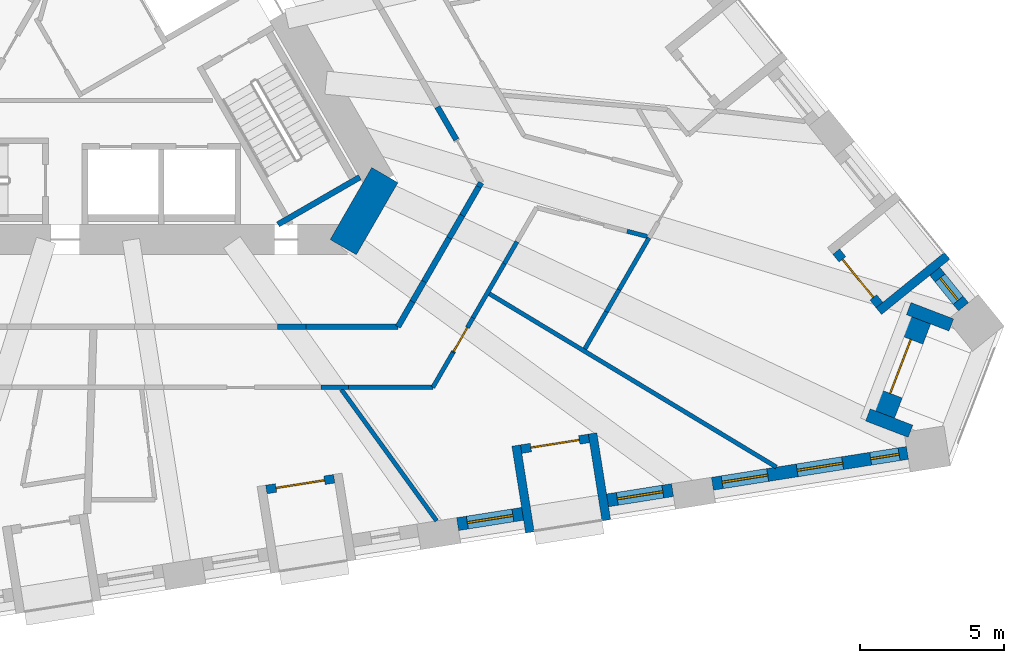
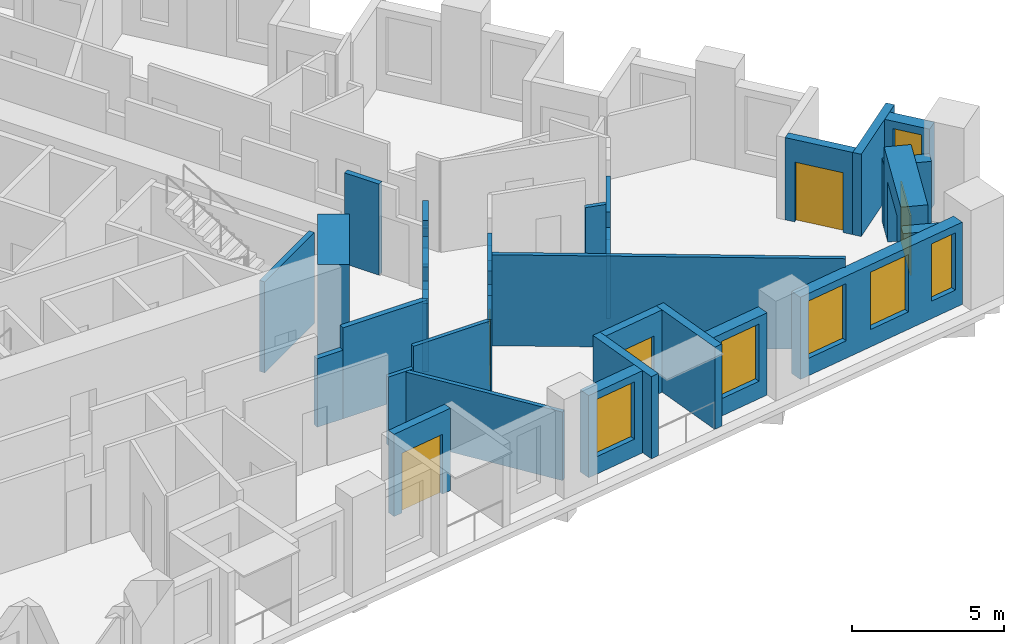
# One storey, part 6 of 14: 36 walls, 6 windows, 5 doors, 11 openings.
"""IFC4 building model written with IfcOpenShell, lengths in metres."""

from ifc_helpers import new_model, si_unit, direction, frame, frame_2d, origin, place, context, subcontext, project, spatial, polyline, rectangle, outline, extrude, material, layer, layer_set, type_object, element, fill, save


model = new_model("IFC4")

# Units and contexts
model_context = context("Model", 3, precision=1e-05, world=origin(), true_north=direction((0.0, 1.0)))
body_context = subcontext(model_context, "Body", "Model", "MODEL_VIEW")
ifc_project = project(units=[si_unit("LENGTHUNIT", "METRE"), si_unit("AREAUNIT", "SQUARE_METRE"), si_unit("VOLUMEUNIT", "CUBIC_METRE"), si_unit("PLANEANGLEUNIT", "RADIAN"), si_unit("MASSUNIT", "GRAM", prefix="KILO")], contexts=[model_context])

# Site, building, storey
site_placement = place(None, origin())
site = spatial("IfcSite", under=ifc_project, at=site_placement, CompositionType="ELEMENT")
building_placement = place(site_placement, origin())
building = spatial("IfcBuilding", under=site, at=building_placement, Name="Tramontana Tower", CompositionType="ELEMENT")
storey_placement = place(building_placement, frame((0.0, 0.0, 67.199951171875)))
storey = spatial("IfcBuildingStorey", under=building, at=storey_placement, Name="L14", CompositionType="ELEMENT", Elevation=67.199951171875)

# Walls
ifc_material_1 = material(Name="Concrete 70 MPa", Category="concrete")
ifc_layer_1 = layer(ifc_material_1, 1.050048828125)
ifc_layer_set_1 = layer_set([ifc_layer_1], Name="Core wall 1050 70 MPa")
wall_type_1 = type_object("IfcWallType", Name="Core wall 1050 70 MPa", PredefinedType="SHEAR", material=ifc_layer_set_1)
wall_1_placement = place(storey_placement, frame((8.349853515625, -6.487548828125, 0.0), z_axis=(0.0, 0.0, 1.0), x_axis=(0.499995765644, 0.866027848477, 0.0)))
element("IfcWall", 1, at=wall_1_placement, inside=storey, type_object=wall_type_1, Name="Core wall C4 L14", PredefinedType="SHEAR", context=body_context, shape_type="SweptSolid", body=[
    extrude(rectangle(XDim=2.88671875, YDim=1.050048828125, at=frame_2d((1.443359375, 0.0))), origin(), (0.0, 0.0, 1.0), 4.0),
])
ifc_material_2 = material(Name="Blockwork", Category="masonry")
ifc_layer_2 = layer(ifc_material_2, 0.199951171875)
ifc_layer_set_2 = layer_set([ifc_layer_2], Name="ENTRY WALL 200")
wall_type_2 = type_object("IfcWallType", Name="ENTRY WALL 200", PredefinedType="SOLIDWALL", material=ifc_layer_set_2)
wall_2_placement = place(storey_placement, frame((11.618408203125, -1.623779296875, 0.0), z_axis=(0.0, 0.0, 1.0), x_axis=(0.500060622324, -0.86599040064, 0.0)))
element("IfcWall", 2, at=wall_2_placement, inside=storey, type_object=wall_type_2, Name="Wall v11-ew0-8", PredefinedType="SOLIDWALL", context=body_context, shape_type="SweptSolid", body=[
    extrude(rectangle(XDim=1.312255859375, YDim=0.199951171875, at=frame_2d((0.65625, 0.0))), origin(), (0.0, 0.0, 1.0), 3.650146484375),
])
wall_3_placement = place(storey_placement, frame((13.134765625, -4.25, 0.0), z_axis=(0.0, 0.0, 1.0), x_axis=(-0.500586455622, -0.865686548612, 0.0)))
element("IfcWall", 3, at=wall_3_placement, inside=storey, type_object=wall_type_2, Name="Wall v11-ew1-0", PredefinedType="SOLIDWALL", context=body_context, shape_type="SweptSolid", body=[
    extrude(rectangle(XDim=0.171142578125, YDim=0.199951171875, at=frame_2d((0.08544921875, 0.0))), origin(), (0.0, 0.0, 1.0), 2.550048828125),
])
wall_4_placement = place(storey_placement, frame((13.049072265625, -4.398193359375, 0.0), z_axis=(0.0, 0.0, 1.0), x_axis=(-0.499889102667, -0.866089420923, 0.0)))
element("IfcWall", 4, at=wall_4_placement, inside=storey, type_object=wall_type_2, Name="Wall v11-ew1-1", PredefinedType="SOLIDWALL", context=body_context, shape_type="SweptSolid", body=[
    extrude(rectangle(XDim=1.141357421875, YDim=0.199951171875, at=frame_2d((0.57080078125, 0.0))), origin(), (0.0, 0.0, 1.0), 3.650146484375),
])
wall_5_placement = place(storey_placement, frame((12.478515625, -5.38671875, 0.0), z_axis=(0.0, 0.0, 1.0), x_axis=(-0.500151474942, -0.865937932021, 0.0)))
element("IfcWall", 5, at=wall_5_placement, inside=storey, type_object=wall_type_2, Name="Wall v11-ew1-2", PredefinedType="SOLIDWALL", context=body_context, shape_type="SweptSolid", body=[
    extrude(rectangle(XDim=0.903076171875, YDim=0.199951171875, at=frame_2d((0.45166015625, 0.0))), origin(), (0.0, 0.0, 1.0), 2.550048828125),
])
wall_6_placement = place(storey_placement, frame((12.02685546875, -6.168701171875, 0.0), z_axis=(0.0, 0.0, 1.0), x_axis=(-0.499900037626, -0.866083109396, 0.0)))
element("IfcWall", 6, at=wall_6_placement, inside=storey, type_object=wall_type_2, Name="Wall v11-ew1-3", PredefinedType="SOLIDWALL", context=body_context, shape_type="SweptSolid", body=[
    extrude(rectangle(XDim=1.745361328125, YDim=0.199951171875, at=frame_2d((0.87255859375, 0.0))), origin(), (0.0, 0.0, 1.0), 3.650146484375),
])
wall_7_placement = place(storey_placement, frame((11.154296875, -7.680419921875, 0.0), z_axis=(0.0, 0.0, 1.0), x_axis=(-0.500151261923, -0.865938055058, 0.0)))
element("IfcWall", 7, at=wall_7_placement, inside=storey, type_object=wall_type_2, Name="Wall v11-ew1-4", PredefinedType="SOLIDWALL", context=body_context, shape_type="SweptSolid", body=[
    extrude(rectangle(XDim=0.804931640625, YDim=0.199951171875, at=frame_2d((0.40234375, 0.0))), origin(), (0.0, 0.0, 1.0), 2.75),
])
wall_8_placement = place(storey_placement, frame((10.751708984375, -8.37744140625, 0.0), z_axis=(0.0, 0.0, 1.0), x_axis=(-0.499918237861, -0.866072604031, 0.0)))
element("IfcWall", 8, at=wall_8_placement, inside=storey, type_object=wall_type_2, Name="Wall v11-ew1-5", PredefinedType="SOLIDWALL", context=body_context, shape_type="SweptSolid", body=[
    extrude(rectangle(XDim=1.007568359375, YDim=0.199951171875, at=frame_2d((0.50390625, 0.0))), origin(), (0.0, 0.0, 1.0), 3.650146484375),
])
wall_9_placement = place(storey_placement, frame((10.248046875, -9.25, 0.0), z_axis=(0.0, 0.0, 1.0), x_axis=(-1.0, 0.0, 0.0)))
element("IfcWall", 9, at=wall_9_placement, inside=storey, type_object=wall_type_2, Name="Wall v11-ew2-0", PredefinedType="SOLIDWALL", context=body_context, shape_type="SweptSolid", body=[
    extrude(rectangle(XDim=3.190673828125, YDim=0.199951171875, at=frame_2d((1.59521484375, 0.0))), origin(), (0.0, 0.0, 1.0), 3.650146484375),
])
wall_10_placement = place(storey_placement, frame((7.057373046875, -9.25, 0.0), z_axis=(0.0, 0.0, 1.0), x_axis=(-1.0, 0.0, 0.0)))
element("IfcWall", 10, at=wall_10_placement, inside=storey, type_object=wall_type_2, Name="Wall v11-ew2-1", PredefinedType="SOLIDWALL", context=body_context, shape_type="SweptSolid", body=[
    extrude(rectangle(XDim=0.981201171875, YDim=0.199951171875, at=frame_2d((0.49072265625, 0.0))), origin(), (0.0, 0.0, 1.0), 2.75),
])

# Wall, opening, window
ifc_material_3 = material(Name="Precast concrete 60 MPa", Category="concrete")
ifc_layer_3 = layer(ifc_material_3, 0.449951171875)
ifc_layer_set_3 = layer_set([ifc_layer_3], Name="Precast concrete 60 MPa, 450 mm")
wall_type_3 = type_object("IfcWallType", Name="EW1 Stone-faced precast wall 450", PredefinedType="SOLIDWALL", material=ifc_layer_set_3)
wall_11_placement = place(storey_placement, frame((12.318603515625, -16.09619140625, 0.0), z_axis=(0.0, 0.0, 1.0), x_axis=(0.987685675151, 0.156451293065, 0.0)))
wall_11 = element("IfcWall", 11, at=wall_11_placement, inside=storey, type_object=wall_type_3, Name="External wall L14 face 1 bay 5", PredefinedType="SOLIDWALL", context=body_context, shape_type="SweptSolid", body=[
    extrude(rectangle(XDim=2.282958984375, YDim=0.449951171875, at=frame_2d((1.1416015625, 0.0))), origin(), (0.0, 0.0, 1.0), 3.300048828125),
])
opening_1_placement = place(wall_11_placement, frame((0.341552734375, 0.0, 0.699951171875)))
opening_1 = element("IfcOpeningElement", 12, at=opening_1_placement, cuts=wall_11, Name="Opening M1", PredefinedType="OPENING", context=body_context, shape_type="SweptSolid", body=[
    extrude(rectangle(XDim=1.60009765625, YDim=2.300048828125, at=frame_2d((0.800048828125, 1.14990234375))), frame((0.0, 0.23486328125, 0.0), z_axis=(0.0, -1.0, 0.0), x_axis=(1.0, 0.0, 0.0)), (0.0, 0.0, 1.0), 0.469970703125),
])
ifc_material_4 = material(Name="Aluminum frame, double glazing unit", Category="aluminium")
window_type_1 = type_object("IfcWindowType", Name="M1 Window 1.6 x 2.3", PartitioningType="SINGLE_PANEL", PredefinedType="WINDOW", material=ifc_material_4)
window_1_placement = place(opening_1_placement, origin())
window_1 = element("IfcWindow", 13, at=window_1_placement, inside=storey, type_object=window_type_1, Name="Window M1 L14 face 1 module 13", OverallHeight=2.300048828125, OverallWidth=1.60009765625, PartitioningType="SINGLE_PANEL", PredefinedType="WINDOW", context=body_context, shape_type="SweptSolid", body=[
    extrude(rectangle(XDim=1.60009765625, YDim=2.300048828125, at=frame_2d((0.800048828125, 1.14990234375))), frame((0.0, 0.030029296875, 0.0), z_axis=(0.0, -1.0, 0.0), x_axis=(1.0, 0.0, 0.0)), (0.0, 0.0, 1.0), 0.06005859375),
])
fill(opening_1, window_1)

wall_12_placement = place(storey_placement, frame((17.519775390625, -15.2724609375, 0.0), z_axis=(0.0, 0.0, 1.0), x_axis=(0.987685675151, 0.156451293065, 0.0)))
wall_12 = element("IfcWall", 14, at=wall_12_placement, inside=storey, type_object=wall_type_3, Name="External wall L14 face 1 bay 5", PredefinedType="SOLIDWALL", context=body_context, shape_type="SweptSolid", body=[
    extrude(rectangle(XDim=2.282958984375, YDim=0.449951171875, at=frame_2d((1.1416015625, 0.0))), origin(), (0.0, 0.0, 1.0), 3.300048828125),
])
opening_2_placement = place(wall_12_placement, frame((0.341552734375, 0.0, 0.699951171875)))
opening_2 = element("IfcOpeningElement", 15, at=opening_2_placement, cuts=wall_12, Name="Opening M1", PredefinedType="OPENING", context=body_context, shape_type="SweptSolid", body=[
    extrude(rectangle(XDim=1.60009765625, YDim=2.300048828125, at=frame_2d((0.800048828125, 1.14990234375))), frame((0.0, 0.23486328125, 0.0), z_axis=(0.0, -1.0, 0.0), x_axis=(1.0, 0.0, 0.0)), (0.0, 0.0, 1.0), 0.469970703125),
])
window_2_placement = place(opening_2_placement, origin())
window_2 = element("IfcWindow", 16, at=window_2_placement, inside=storey, type_object=window_type_1, Name="Window M1 L14 face 1 module 15", OverallHeight=2.300048828125, OverallWidth=1.60009765625, PartitioningType="SINGLE_PANEL", PredefinedType="WINDOW", context=body_context, shape_type="SweptSolid", body=[
    extrude(rectangle(XDim=1.60009765625, YDim=2.300048828125, at=frame_2d((0.800048828125, 1.14990234375))), frame((0.0, 0.030029296875, 0.0), z_axis=(0.0, -1.0, 0.0), x_axis=(1.0, 0.0, 0.0)), (0.0, 0.0, 1.0), 0.06005859375),
])
fill(opening_2, window_2)

# Wall, openings, windows
wall_13_placement = place(storey_placement, frame((21.1572265625, -14.6962890625, 0.0), z_axis=(0.0, 0.0, 1.0), x_axis=(0.987685675151, 0.156451293065, 0.0)))
wall_13 = element("IfcWall", 17, at=wall_13_placement, inside=storey, type_object=wall_type_3, Name="External wall L14 face 1 bay 6", PredefinedType="SOLIDWALL", context=body_context, shape_type="SweptSolid", body=[
    extrude(rectangle(XDim=6.848876953125, YDim=0.449951171875, at=frame_2d((3.42431640625, 0.0))), origin(), (0.0, 0.0, 1.0), 3.300048828125),
])
opening_3_placement = place(wall_13_placement, frame((0.341552734375, 0.0, 0.699951171875)))
opening_3 = element("IfcOpeningElement", 18, at=opening_3_placement, cuts=wall_13, Name="Opening M1", PredefinedType="OPENING", context=body_context, shape_type="SweptSolid", body=[
    extrude(rectangle(XDim=1.60009765625, YDim=2.300048828125, at=frame_2d((0.800048828125, 1.14990234375))), frame((0.0, 0.23486328125, 0.0), z_axis=(0.0, -1.0, 0.0), x_axis=(1.0, 0.0, 0.0)), (0.0, 0.0, 1.0), 0.469970703125),
])
opening_4_placement = place(wall_13_placement, frame((2.974365234375, 0.0, 0.699951171875)))
opening_4 = element("IfcOpeningElement", 19, at=opening_4_placement, cuts=wall_13, Name="Opening M1", PredefinedType="OPENING", context=body_context, shape_type="SweptSolid", body=[
    extrude(rectangle(XDim=1.60009765625, YDim=2.300048828125, at=frame_2d((0.800048828125, 1.14990234375))), frame((0.0, 0.23486328125, 0.0), z_axis=(0.0, -1.0, 0.0), x_axis=(1.0, 0.0, 0.0)), (0.0, 0.0, 1.0), 0.469970703125),
])
opening_5_placement = place(wall_13_placement, frame((5.557373046875, 0.0, 0.699951171875)))
opening_5 = element("IfcOpeningElement", 20, at=opening_5_placement, cuts=wall_13, Name="Opening N1", PredefinedType="OPENING", context=body_context, shape_type="SweptSolid", body=[
    extrude(rectangle(XDim=1.0, YDim=2.300048828125, at=frame_2d((0.5, 1.14990234375))), frame((0.0, 0.23486328125, 0.0), z_axis=(0.0, -1.0, 0.0), x_axis=(1.0, 0.0, 0.0)), (0.0, 0.0, 1.0), 0.469970703125),
])
window_3_placement = place(opening_3_placement, origin())
window_3 = element("IfcWindow", 21, at=window_3_placement, inside=storey, type_object=window_type_1, Name="Window M1 L14 face 1 module 16", OverallHeight=2.300048828125, OverallWidth=1.60009765625, PartitioningType="SINGLE_PANEL", PredefinedType="WINDOW", context=body_context, shape_type="SweptSolid", body=[
    extrude(rectangle(XDim=1.60009765625, YDim=2.300048828125, at=frame_2d((0.800048828125, 1.14990234375))), frame((0.0, 0.030029296875, 0.0), z_axis=(0.0, -1.0, 0.0), x_axis=(1.0, 0.0, 0.0)), (0.0, 0.0, 1.0), 0.06005859375),
])
fill(opening_3, window_3)
window_4_placement = place(opening_4_placement, origin())
window_4 = element("IfcWindow", 22, at=window_4_placement, inside=storey, type_object=window_type_1, Name="Window M1 L14 face 1 module 17", OverallHeight=2.300048828125, OverallWidth=1.60009765625, PartitioningType="SINGLE_PANEL", PredefinedType="WINDOW", context=body_context, shape_type="SweptSolid", body=[
    extrude(rectangle(XDim=1.60009765625, YDim=2.300048828125, at=frame_2d((0.800048828125, 1.14990234375))), frame((0.0, 0.030029296875, 0.0), z_axis=(0.0, -1.0, 0.0), x_axis=(1.0, 0.0, 0.0)), (0.0, 0.0, 1.0), 0.06005859375),
])
fill(opening_4, window_4)
ifc_material_5 = material(Name="Aluminum frame, double glazing unit", Category="aluminium")
window_type_2 = type_object("IfcWindowType", Name="N1 Window 1 x 2.3", PartitioningType="SINGLE_PANEL", PredefinedType="WINDOW", material=ifc_material_5)
window_5_placement = place(opening_5_placement, origin())
window_5 = element("IfcWindow", 23, at=window_5_placement, inside=storey, type_object=window_type_2, Name="Window N1 L14 face 1 module 18", OverallHeight=2.300048828125, OverallWidth=1.0, PartitioningType="SINGLE_PANEL", PredefinedType="WINDOW", context=body_context, shape_type="SweptSolid", body=[
    extrude(rectangle(XDim=1.0, YDim=2.300048828125, at=frame_2d((0.5, 1.14990234375))), frame((0.0, 0.030029296875, 0.0), z_axis=(0.0, -1.0, 0.0), x_axis=(1.0, 0.0, 0.0)), (0.0, 0.0, 1.0), 0.06005859375),
])
fill(opening_5, window_5)

# Wall, opening, window
wall_14_placement = place(storey_placement, frame((29.86669921875, -8.558349609375, 0.0), z_axis=(0.0, 0.0, 1.0), x_axis=(-0.629273652342, 0.77718380739, 0.0)))
wall_14 = element("IfcWall", 24, at=wall_14_placement, inside=storey, type_object=wall_type_3, Name="External wall L14 face 2 bay 1", PredefinedType="SOLIDWALL", context=body_context, shape_type="SweptSolid", body=[
    extrude(rectangle(XDim=1.5830078125, YDim=0.449951171875, at=frame_2d((0.79150390625, 0.0))), origin(), (0.0, 0.0, 1.0), 3.300048828125),
])
opening_6_placement = place(wall_14_placement, frame((0.29150390625, 0.0, 0.699951171875)))
opening_6 = element("IfcOpeningElement", 25, at=opening_6_placement, cuts=wall_14, Name="Opening N1", PredefinedType="OPENING", context=body_context, shape_type="SweptSolid", body=[
    extrude(rectangle(XDim=1.0, YDim=2.300048828125, at=frame_2d((0.5, 1.14990234375))), frame((0.0, 0.23486328125, 0.0), z_axis=(0.0, -1.0, 0.0), x_axis=(1.0, 0.0, 0.0)), (0.0, 0.0, 1.0), 0.469970703125),
])
window_6_placement = place(opening_6_placement, origin())
window_6 = element("IfcWindow", 26, at=window_6_placement, inside=storey, type_object=window_type_2, Name="Window N1 L14 face 2 module 1", OverallHeight=2.300048828125, OverallWidth=1.0, PartitioningType="SINGLE_PANEL", PredefinedType="WINDOW", context=body_context, shape_type="SweptSolid", body=[
    extrude(rectangle(XDim=1.0, YDim=2.300048828125, at=frame_2d((0.5, 1.14990234375))), frame((0.0, 0.030029296875, 0.0), z_axis=(0.0, -1.0, 0.0), x_axis=(1.0, 0.0, 0.0)), (0.0, 0.0, 1.0), 0.06005859375),
])
fill(opening_6, window_6)

# Walls
for number, where, z_axis, x_axis, name in (
    (27, (29.442626953125, -9.1865234375, 0.0), (0.0, 0.0, 1.0), (-0.93358843832, 0.358347077335, 0.0), "Corner loggia side wall L14 K12l"),
    (28, (28.027099609375, -12.8740234375, 0.0), (0.0, 0.0, 1.0), (-0.93358843832, 0.358347077335, 0.0), "Corner loggia side wall L14 K12r"),
):
    element("IfcWall", number, at=place(storey_placement, frame(where, z_axis=z_axis, x_axis=x_axis)), inside=storey, type_object=wall_type_3, Name=name, PredefinedType="SOLIDWALL", context=body_context, shape_type="SweptSolid", body=[
        extrude(rectangle(XDim=1.579345703125, YDim=0.449951171875, at=frame_2d((0.78955078125, 0.0))), origin(), (0.0, 0.0, 1.0), 2.550048828125),
    ])

# Wall, opening, door
ifc_material_6 = material(Name="Precast concrete 60 MPa", Category="concrete")
ifc_layer_4 = layer(ifc_material_6, 0.89990234375)
ifc_layer_set_4 = layer_set([ifc_layer_4], Name="EW2 Stone-faced corner loggia wall 900")
wall_type_4 = type_object("IfcWallType", Name="EW2 Stone-faced corner loggia wall 900", PredefinedType="SOLIDWALL", material=ifc_layer_set_4)
wall_15_placement = place(storey_placement, frame((28.307861328125, -8.991943359375, 0.0), z_axis=(0.0, 0.0, 1.0), x_axis=(-0.35841340332, -0.933562977158, 0.0)))
wall_15 = element("IfcWall", 29, at=wall_15_placement, inside=storey, type_object=wall_type_4, Name="Corner loggia wall L14 K12", PredefinedType="SOLIDWALL", context=body_context, shape_type="SweptSolid", body=[
    extrude(rectangle(XDim=3.499755859375, YDim=0.89990234375, at=frame_2d((1.75, 0.0))), origin(), (0.0, 0.0, 1.0), 3.300048828125),
])
opening_7_placement = place(wall_15_placement, frame((0.75, 0.0, 0.0)))
opening_7 = element("IfcOpeningElement", 30, at=opening_7_placement, cuts=wall_15, Name="Opening BD-12C", PredefinedType="OPENING", context=body_context, shape_type="SweptSolid", body=[
    extrude(rectangle(XDim=2.0, YDim=2.39990234375, at=frame_2d((1.0, 1.199951171875))), frame((0.0, 0.4599609375, 0.0), z_axis=(0.0, -1.0, 0.0), x_axis=(1.0, 0.0, 0.0)), (0.0, 0.0, 1.0), 0.919921875),
])
ifc_material_7 = material(Name="Aluminum frame, double glazing unit", Category="aluminium")
door_type_1 = type_object("IfcDoorType", Name="BC1 Sliding door 2 x 2.4", OperationType="SLIDING_TO_LEFT", PredefinedType="DOOR", material=ifc_material_7)
door_1_placement = place(opening_7_placement, origin())
door_1 = element("IfcDoor", 31, at=door_1_placement, inside=storey, type_object=door_type_1, Name="Corner loggia door L14 K12", OperationType="SLIDING_TO_LEFT", OverallHeight=2.39990234375, OverallWidth=2.0, PredefinedType="DOOR", context=body_context, shape_type="SweptSolid", body=[
    extrude(rectangle(XDim=2.0, YDim=2.39990234375, at=frame_2d((1.0, 1.199951171875))), frame((0.0, 0.02490234375, 0.0), z_axis=(0.0, -1.0, 0.0), x_axis=(1.0, 0.0, 0.0)), (0.0, 0.0, 1.0), 0.050048828125),
])
fill(opening_7, door_1)

ifc_material_8 = material(Name="Precast concrete 60 MPa", Category="concrete")
ifc_layer_5 = layer(ifc_material_8, 0.300048828125)
ifc_layer_set_5 = layer_set([ifc_layer_5], Name="LW1 Stone-faced loggia wall 300")
wall_type_5 = type_object("IfcWallType", Name="LW1 Stone-faced loggia wall 300", PredefinedType="SOLIDWALL", material=ifc_layer_set_5)
wall_16_placement = place(storey_placement, frame((5.682861328125, -14.894287109375, 0.0), z_axis=(0.0, 0.0, 1.0), x_axis=(0.987688093492, 0.15643602518, 0.0)))
wall_16 = element("IfcWall", 32, at=wall_16_placement, inside=storey, type_object=wall_type_5, Name="Loggia wall L14 G1S1.10", PredefinedType="SOLIDWALL", context=body_context, shape_type="SweptSolid", body=[
    extrude(rectangle(XDim=2.383056640625, YDim=0.300048828125, at=frame_2d((1.19140625, 0.0))), origin(), (0.0, 0.0, 1.0), 3.300048828125),
])
opening_8_placement = place(wall_16_placement, frame((0.341552734375, 0.0, 0.0)))
opening_8 = element("IfcOpeningElement", 33, at=opening_8_placement, cuts=wall_16, Name="Opening BD-1S1-10", PredefinedType="OPENING", context=body_context, shape_type="SweptSolid", body=[
    extrude(rectangle(XDim=1.699951171875, YDim=2.39990234375, at=frame_2d((0.85009765625, 1.199951171875))), frame((0.0, 0.159912109375, 0.0), z_axis=(0.0, -1.0, 0.0), x_axis=(1.0, 0.0, 0.0)), (0.0, 0.0, 1.0), 0.320068359375),
])
ifc_material_9 = material(Name="Aluminum frame, double glazing unit", Category="aluminium")
door_type_2 = type_object("IfcDoorType", Name="BD1 Sliding door 1.7 x 2.4", OperationType="SLIDING_TO_LEFT", PredefinedType="DOOR", material=ifc_material_9)
door_2_placement = place(opening_8_placement, origin())
door_2 = element("IfcDoor", 34, at=door_2_placement, inside=storey, type_object=door_type_2, Name="Loggia door L14 G1S1.10", OperationType="SLIDING_TO_LEFT", OverallHeight=2.39990234375, OverallWidth=1.699951171875, PredefinedType="DOOR", context=body_context, shape_type="SweptSolid", body=[
    extrude(rectangle(XDim=1.699951171875, YDim=2.39990234375, at=frame_2d((0.85009765625, 1.199951171875))), frame((0.0, 0.02490234375, 0.0), z_axis=(0.0, -1.0, 0.0), x_axis=(1.0, 0.0, 0.0)), (0.0, 0.0, 1.0), 0.050048828125),
])
fill(opening_8, door_2)

wall_17_placement = place(storey_placement, frame((14.521728515625, -13.494384765625, 0.0), z_axis=(0.0, 0.0, 1.0), x_axis=(0.987685586014, 0.156451855793, 0.0)))
wall_17 = element("IfcWall", 35, at=wall_17_placement, inside=storey, type_object=wall_type_5, Name="Loggia wall L14 G1S1.13", PredefinedType="SOLIDWALL", context=body_context, shape_type="SweptSolid", body=[
    extrude(rectangle(XDim=2.3828125, YDim=0.300048828125, at=frame_2d((1.19140625, 0.0))), origin(), (0.0, 0.0, 1.0), 3.300048828125),
])
opening_9_placement = place(wall_17_placement, frame((0.341552734375, 0.0, 0.0)))
opening_9 = element("IfcOpeningElement", 36, at=opening_9_placement, cuts=wall_17, Name="Opening BD-1S1-13", PredefinedType="OPENING", context=body_context, shape_type="SweptSolid", body=[
    extrude(rectangle(XDim=1.699951171875, YDim=2.39990234375, at=frame_2d((0.85009765625, 1.199951171875))), frame((0.0, 0.159912109375, 0.0), z_axis=(0.0, -1.0, 0.0), x_axis=(1.0, 0.0, 0.0)), (0.0, 0.0, 1.0), 0.320068359375),
])
door_3_placement = place(opening_9_placement, origin())
door_3 = element("IfcDoor", 37, at=door_3_placement, inside=storey, type_object=door_type_2, Name="Loggia door L14 G1S1.13", OperationType="SLIDING_TO_LEFT", OverallHeight=2.39990234375, OverallWidth=1.699951171875, PredefinedType="DOOR", context=body_context, shape_type="SweptSolid", body=[
    extrude(rectangle(XDim=1.699951171875, YDim=2.39990234375, at=frame_2d((0.85009765625, 1.199951171875))), frame((0.0, 0.02490234375, 0.0), z_axis=(0.0, -1.0, 0.0), x_axis=(1.0, 0.0, 0.0)), (0.0, 0.0, 1.0), 0.050048828125),
])
fill(opening_9, door_3)

# Walls
for number, where, z_axis, x_axis, name in (
    (38, (14.8271484375, -16.38232421875, 0.0), (0.0, 0.0, 1.0), (-0.156410600741, 0.987692120033, 0.0), "Loggia return L14 G1S1.13a"),
    (39, (17.47705078125, -15.96240234375, 0.0), (0.0, 0.0, 1.0), (-0.156410600741, 0.987692120033, 0.0), "Loggia return L14 G1S1.13b"),
):
    element("IfcWall", number, at=place(storey_placement, frame(where, z_axis=z_axis, x_axis=x_axis)), inside=storey, type_object=wall_type_5, Name=name, PredefinedType="SOLIDWALL", context=body_context, shape_type="SweptSolid", body=[
        extrude(rectangle(XDim=3.050048828125, YDim=0.300048828125, at=frame_2d((1.52490234375, 0.0))), origin(), (0.0, 0.0, 1.0), 3.300048828125),
    ])

# Wall, opening, door
wall_18_placement = place(storey_placement, frame((26.95263671875, -8.4951171875, 0.0), z_axis=(0.0, 0.0, 1.0), x_axis=(-0.62930727886, 0.777156579316, 0.0)))
wall_18 = element("IfcWall", 40, at=wall_18_placement, inside=storey, type_object=wall_type_5, Name="Loggia wall L14 G1S2.1", PredefinedType="SOLIDWALL", context=body_context, shape_type="SweptSolid", body=[
    extrude(rectangle(XDim=2.3828125, YDim=0.300048828125, at=frame_2d((1.19140625, 0.0))), origin(), (0.0, 0.0, 1.0), 3.300048828125),
])
opening_10_placement = place(wall_18_placement, frame((0.341552734375, 0.0, 0.0)))
opening_10 = element("IfcOpeningElement", 41, at=opening_10_placement, cuts=wall_18, Name="Opening BD-1S2-01", PredefinedType="OPENING", context=body_context, shape_type="SweptSolid", body=[
    extrude(rectangle(XDim=1.699951171875, YDim=2.39990234375, at=frame_2d((0.85009765625, 1.199951171875))), frame((0.0, 0.159912109375, 0.0), z_axis=(0.0, -1.0, 0.0), x_axis=(1.0, 0.0, 0.0)), (0.0, 0.0, 1.0), 0.320068359375),
])
door_4_placement = place(opening_10_placement, origin())
door_4 = element("IfcDoor", 42, at=door_4_placement, inside=storey, type_object=door_type_2, Name="Loggia door L14 G1S2.1", OperationType="SLIDING_TO_LEFT", OverallHeight=2.39990234375, OverallWidth=1.699951171875, PredefinedType="DOOR", context=body_context, shape_type="SweptSolid", body=[
    extrude(rectangle(XDim=1.699951171875, YDim=2.39990234375, at=frame_2d((0.85009765625, 1.199951171875))), frame((0.0, 0.02490234375, 0.0), z_axis=(0.0, -1.0, 0.0), x_axis=(1.0, 0.0, 0.0)), (0.0, 0.0, 1.0), 0.050048828125),
])
fill(opening_10, door_4)

# Walls
wall_19_placement = place(storey_placement, frame((29.30078125, -6.78662109375, 0.0), z_axis=(0.0, 0.0, 1.0), x_axis=(-0.777153523895, -0.629311052102, 0.0)))
element("IfcWall", 43, at=wall_19_placement, inside=storey, type_object=wall_type_5, Name="Loggia return L14 G1S2.1a", PredefinedType="SOLIDWALL", context=body_context, shape_type="SweptSolid", body=[
    extrude(rectangle(XDim=3.050048828125, YDim=0.300048828125, at=frame_2d((1.52490234375, 0.0))), origin(), (0.0, 0.0, 1.0), 3.300048828125),
])
ifc_material_10 = material(Name="Gypsum board partition")
ifc_layer_6 = layer(ifc_material_10, 0.14990234375)
ifc_layer_set_6 = layer_set([ifc_layer_6], Name="PARTITION 150")
wall_type_6 = type_object("IfcWallType", Name="PARTITION 150", PredefinedType="PARTITIONING", material=ifc_layer_set_6)
wall_20_placement = place(storey_placement, frame((11.46044921875, -11.35009765625, 0.0), z_axis=(0.0, 0.0, 1.0), x_axis=(-1.0, 0.0, 0.0)))
element("IfcWall", 44, at=wall_20_placement, inside=storey, type_object=wall_type_6, Name="Wall v11-pw43-0", PredefinedType="PARTITIONING", context=body_context, shape_type="SweptSolid", body=[
    extrude(rectangle(XDim=2.927734375, YDim=0.14990234375, at=frame_2d((1.4638671875, 0.0))), origin(), (0.0, 0.0, 1.0), 3.650146484375),
])
wall_21_placement = place(storey_placement, frame((8.53271484375, -11.35009765625, 0.0), z_axis=(0.0, 0.0, 1.0), x_axis=(-1.0, 0.0, 0.0)))
element("IfcWall", 45, at=wall_21_placement, inside=storey, type_object=wall_type_6, Name="Wall v11-pw43-1", PredefinedType="PARTITIONING", context=body_context, shape_type="SweptSolid", body=[
    extrude(rectangle(XDim=0.950439453125, YDim=0.14990234375, at=frame_2d((0.47509765625, 0.0))), origin(), (0.0, 0.0, 1.0), 2.75),
])
wall_22_placement = place(storey_placement, frame((11.592041015625, -15.9833984375, 0.0), z_axis=(0.0, 0.0, 1.0), x_axis=(-0.587096160598, 0.809517200689, 0.0)))
element("IfcWall", 46, at=wall_22_placement, inside=storey, type_object=wall_type_6, Name="Wall v11-pw44-0", PredefinedType="PARTITIONING", context=body_context, shape_type="SweptSolid", body=[
    extrude(rectangle(XDim=5.630859375, YDim=0.14990234375, at=frame_2d((2.8154296875, 0.0))), origin(), (0.0, 0.0, 1.0), 2.75),
])
wall_23_placement = place(storey_placement, frame((14.378173828125, -6.296142578125, 0.0), z_axis=(0.0, 0.0, 1.0), x_axis=(-0.49990697594, -0.86607910459, 0.0)))
element("IfcWall", 47, at=wall_23_placement, inside=storey, type_object=wall_type_6, Name="Wall v11-pw51-1", PredefinedType="PARTITIONING", context=body_context, shape_type="SweptSolid", body=[
    extrude(rectangle(XDim=0.878173828125, YDim=0.14990234375, at=frame_2d((0.43896484375, 0.0))), origin(), (0.0, 0.0, 1.0), 2.550048828125),
])
wall_24_placement = place(storey_placement, frame((13.939208984375, -7.056640625, 0.0), z_axis=(0.0, 0.0, 1.0), x_axis=(-0.499978335414, -0.866037911478, 0.0)))
element("IfcWall", 48, at=wall_24_placement, inside=storey, type_object=wall_type_6, Name="Wall v11-pw51-2", PredefinedType="PARTITIONING", context=body_context, shape_type="SweptSolid", body=[
    extrude(rectangle(XDim=2.1748046875, YDim=0.14990234375, at=frame_2d((1.08740234375, 0.0))), origin(), (0.0, 0.0, 1.0), 3.650146484375),
])

# Wall, opening, door
wall_25_placement = place(storey_placement, frame((12.851806640625, -8.940185546875, 0.0), z_axis=(0.0, 0.0, 1.0), x_axis=(-0.500087364259, -0.86597495813, 0.0)))
wall_25 = element("IfcWall", 49, at=wall_25_placement, inside=storey, type_object=wall_type_6, Name="Wall v11-pw51-3", PredefinedType="PARTITIONING", context=body_context, shape_type="SweptSolid", body=[
    extrude(outline(polyline([(0.0, 0.0), (1.389892578125, 0.0), (1.389892578125, 3.650146484375), (0.779541015625, 3.650146484375), (0.779541015625, 2.75), (0.0, 2.75), (0.0, 0.0)])), frame((0.0, 0.074951171875, 0.0), z_axis=(0.0, -1.0, 0.0), x_axis=(1.0, 0.0, 0.0)), (0.0, 0.0, 1.0), 0.14990234375),
])
opening_11_placement = place(wall_25_placement, frame((0.389892578125, 0.0, 0.0)))
opening_11 = element("IfcOpeningElement", 50, at=opening_11_placement, cuts=wall_25, Name="Opening B1B-23", PredefinedType="OPENING", context=body_context, shape_type="SweptSolid", body=[
    extrude(rectangle(XDim=0.949951171875, YDim=2.39990234375, at=frame_2d((0.47509765625, 1.199951171875))), frame((0.0, 0.0849609375, 0.0), z_axis=(0.0, -1.0, 0.0), x_axis=(1.0, 0.0, 0.0)), (0.0, 0.0, 1.0), 0.169921875),
])
ifc_material_11 = material(Name="Painted timber", Category="wood")
door_type_3 = type_object("IfcDoorType", Name="DOOR ROOM 950", OperationType="SINGLE_SWING_LEFT", PredefinedType="DOOR", material=ifc_material_11)
door_5_placement = place(opening_11_placement, origin())
door_5 = element("IfcDoor", 51, at=door_5_placement, inside=storey, type_object=door_type_3, Name="Door B1B-23", OperationType="SINGLE_SWING_LEFT", OverallHeight=2.39990234375, OverallWidth=0.949951171875, PredefinedType="DOOR", context=body_context, shape_type="SweptSolid", body=[
    extrude(rectangle(XDim=0.949951171875, YDim=2.39990234375, at=frame_2d((0.47509765625, 1.199951171875))), frame((0.0, 0.02490234375, 0.0), z_axis=(0.0, -1.0, 0.0), x_axis=(1.0, 0.0, 0.0)), (0.0, 0.0, 1.0), 0.050048828125),
])
fill(opening_11, door_5)

# Walls
wall_26_placement = place(storey_placement, frame((12.15673828125, -10.143798828125, 0.0), z_axis=(0.0, 0.0, 1.0), x_axis=(-0.499909592859, -0.86607759408, 0.0)))
element("IfcWall", 52, at=wall_26_placement, inside=storey, type_object=wall_type_6, Name="Wall v11-pw51-4", PredefinedType="PARTITIONING", context=body_context, shape_type="SweptSolid", body=[
    extrude(rectangle(XDim=1.392822265625, YDim=0.14990234375, at=frame_2d((0.6962890625, 0.0))), origin(), (0.0, 0.0, 1.0), 3.650146484375),
])
wall_27_placement = place(storey_placement, frame((18.89794921875, -6.11767578125, 0.0), z_axis=(0.0, 0.0, 1.0), x_axis=(-0.967620841463, 0.252408215331, 0.0)))
element("IfcWall", 53, at=wall_27_placement, inside=storey, type_object=wall_type_6, Name="Wall v11-pw53-0", PredefinedType="PARTITIONING", context=body_context, shape_type="SweptSolid", body=[
    extrude(rectangle(XDim=0.726318359375, YDim=0.14990234375, at=frame_2d((0.36328125, 0.0))), origin(), (0.0, 0.0, 1.0), 2.550048828125),
])
wall_28_placement = place(storey_placement, frame((18.957763671875, -6.1640625, 0.0), z_axis=(0.0, 0.0, 1.0), x_axis=(-0.499939227269, -0.866060488094, 0.0)))
element("IfcWall", 54, at=wall_28_placement, inside=storey, type_object=wall_type_6, Name="Wall v11-pw55-2", PredefinedType="PARTITIONING", context=body_context, shape_type="SweptSolid", body=[
    extrude(rectangle(XDim=2.079833984375, YDim=0.14990234375, at=frame_2d((1.0400390625, 0.0))), origin(), (0.0, 0.0, 1.0), 3.650146484375),
])
wall_29_placement = place(storey_placement, frame((17.91796875, -7.96533203125, 0.0), z_axis=(0.0, 0.0, 1.0), x_axis=(-0.500115484592, -0.865958718457, 0.0)))
element("IfcWall", 55, at=wall_29_placement, inside=storey, type_object=wall_type_6, Name="Wall v11-pw55-3", PredefinedType="PARTITIONING", context=body_context, shape_type="SweptSolid", body=[
    extrude(rectangle(XDim=0.878173828125, YDim=0.14990234375, at=frame_2d((0.43896484375, 0.0))), origin(), (0.0, 0.0, 1.0), 2.550048828125),
])
wall_30_placement = place(storey_placement, frame((17.478759765625, -8.725830078125, 0.0), z_axis=(0.0, 0.0, 1.0), x_axis=(-0.500048435424, -0.865997437773, 0.0)))
element("IfcWall", 56, at=wall_30_placement, inside=storey, type_object=wall_type_6, Name="Wall v11-pw55-4", PredefinedType="PARTITIONING", context=body_context, shape_type="SweptSolid", body=[
    extrude(rectangle(XDim=1.490966796875, YDim=0.14990234375, at=frame_2d((0.74560546875, 0.0))), origin(), (0.0, 0.0, 1.0), 3.650146484375),
])
wall_31_placement = place(storey_placement, frame((23.376953125, -14.11669921875, 0.0), z_axis=(0.0, 0.0, 1.0), x_axis=(-0.856026239053, 0.516932372803, 0.0)))
element("IfcWall", 57, at=wall_31_placement, inside=storey, type_object=wall_type_6, Name="Wall v11-pw58", PredefinedType="PARTITIONING", context=body_context, shape_type="SweptSolid", body=[
    extrude(rectangle(XDim=11.630615234375, YDim=0.14990234375, at=frame_2d((5.8154296875, 0.0))), origin(), (0.0, 0.0, 1.0), 3.650146484375),
])
ifc_material_12 = material(Name="Concrete 70 MPa", Category="concrete")
ifc_layer_7 = layer(ifc_material_12, 0.199951171875)
ifc_layer_set_7 = layer_set([ifc_layer_7], Name="Concrete 70 MPa, 200 mm")
wall_type_7 = type_object("IfcWallType", Name="RC STAIR AND SHAFT WALL 200", PredefinedType="SOLIDWALL", material=ifc_layer_set_7)
wall_32_placement = place(storey_placement, frame((6.08740234375, -5.699951171875, 0.0), z_axis=(0.0, 0.0, 1.0), x_axis=(0.866006986733, 0.500031897912, 0.0)))
element("IfcWall", 58, at=wall_32_placement, inside=storey, type_object=wall_type_7, Name="Wall st3-far", PredefinedType="SOLIDWALL", context=body_context, shape_type="SweptSolid", body=[
    extrude(rectangle(XDim=3.278076171875, YDim=0.199951171875, at=frame_2d((1.63916015625, 0.0))), origin(), (0.0, 0.0, 1.0), 3.650146484375),
])

save(model, "model.ifc")
